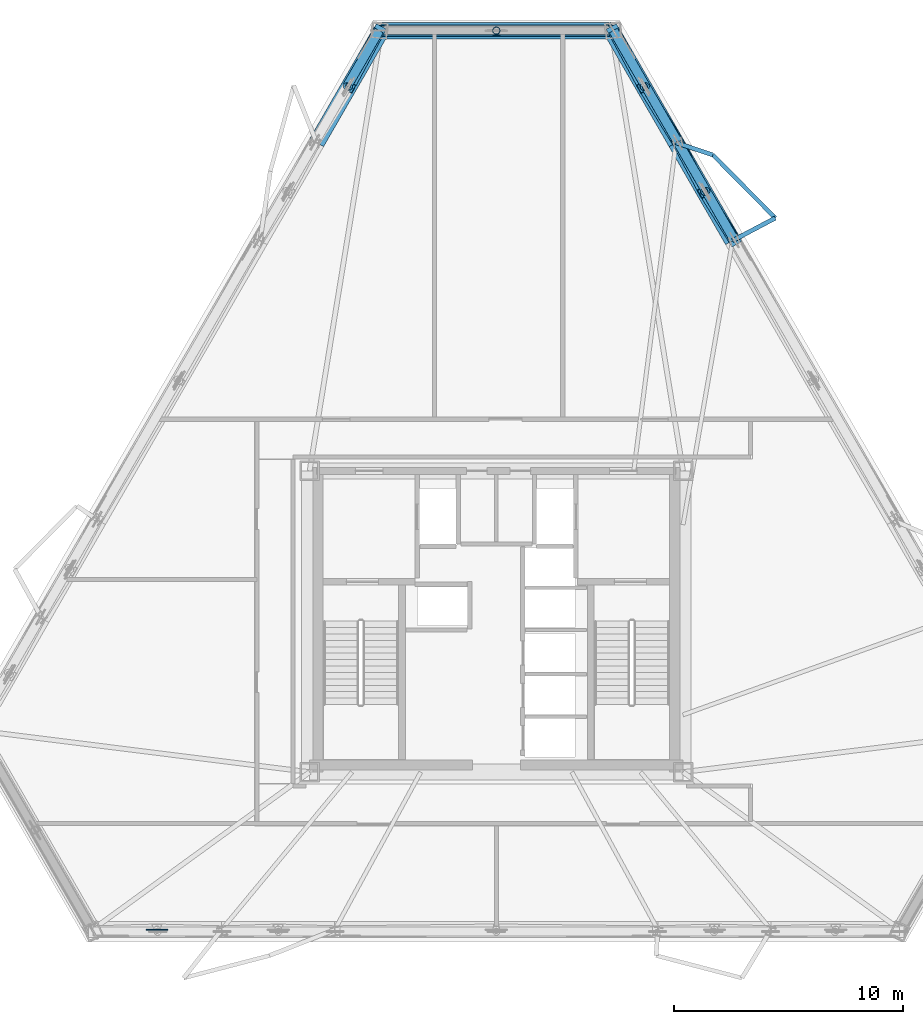
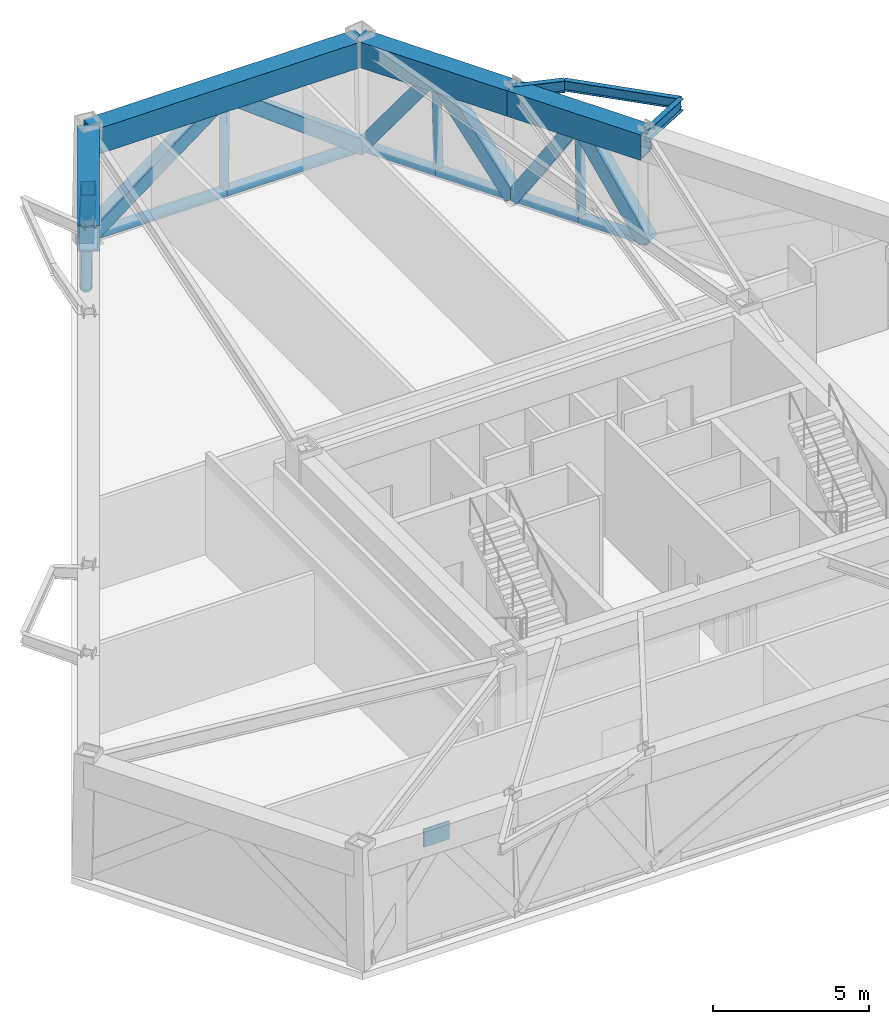
# One storey, part 5 of 11: 18 members, 7 beams, 1 plate.
"""IFC4 building model written with IfcOpenShell, lengths in metres."""

from ifc_helpers import new_model, si_unit, direction, frame, origin, origin_2d, place, context, subcontext, project, spatial, rectangle, hollow_rectangle, hollow_circle, i_section, extrude, material, layer, layer_set, material_profile, profile_set, type_object, element, save


model = new_model("IFC4")

# Units and contexts
model_context = context("Model", 3, precision=1e-05, world=origin(), true_north=direction((0.0, 1.0)))
body_context = subcontext(model_context, "Body", "Model", "MODEL_VIEW")
ifc_project = project(units=[si_unit("LENGTHUNIT", "METRE"), si_unit("AREAUNIT", "SQUARE_METRE"), si_unit("VOLUMEUNIT", "CUBIC_METRE"), si_unit("PLANEANGLEUNIT", "RADIAN"), si_unit("MASSUNIT", "GRAM", prefix="KILO")], contexts=[model_context])

# Site, building, storey
site_placement = place(None, origin())
site = spatial("IfcSite", under=ifc_project, at=site_placement, CompositionType="ELEMENT")
building_placement = place(site_placement, origin())
building = spatial("IfcBuilding", under=site, at=building_placement, Name="Oramaril Tower", CompositionType="ELEMENT")
storey_placement = place(building_placement, frame((0.0, 0.0, 133.800048828125)))
storey = spatial("IfcBuildingStorey", under=building, at=storey_placement, Name="L35", CompositionType="ELEMENT", Elevation=133.800048828125)

# Beams
ifc_material_1 = material(Name="Steel ASTM A572 Gr 50", Category="steel")
ifc_material_profile_1 = material_profile(ifc_material_1, i_section(OverallWidth=0.19091796875, OverallDepth=0.45703125, WebThickness=0.009033203125, FlangeThickness=0.014404296875, at=origin_2d()), Name="W18X50")
ifc_profile_set_1 = profile_set([ifc_material_profile_1], Name="Steel ASTM A572 Gr 50")
beam_type_1 = type_object("IfcBeamType", Name="BT-BB1", PredefinedType="BEAM", material=ifc_profile_set_1)
beam_1_placement = place(storey_placement, frame((47.81201171875, 34.197509765625, 4.33154296875), z_axis=(0.883720345372, 0.468015332201, 0.0), x_axis=(-0.468015332201, 0.883720345372, 0.0)))
element("IfcBeam", 1, at=beam_1_placement, inside=storey, type_object=beam_type_1, Name="L35 Balcony Column-Framed Cantilever 04.1", PredefinedType="BEAM", context=body_context, shape_type="SweptSolid", body=[
    extrude(i_section(OverallWidth=0.19091796875, OverallDepth=0.45703125, WebThickness=0.009033203125, FlangeThickness=0.014404296875, at=origin_2d()), origin(), (0.0, 0.0, 1.0), 2.109619140625),
])
beam_2_placement = place(storey_placement, frame((45.343505859375, 38.47314453125, 4.33154296875), z_axis=(0.94894166532, -0.315451606145, 0.0), x_axis=(0.315451606145, 0.94894166532, 0.0)))
element("IfcBeam", 2, at=beam_2_placement, inside=storey, type_object=beam_type_1, Name="L35 Balcony Column-Framed Cantilever 04.2", PredefinedType="BEAM", context=body_context, shape_type="SweptSolid", body=[
    extrude(i_section(OverallWidth=0.19091796875, OverallDepth=0.45703125, WebThickness=0.009033203125, FlangeThickness=0.014404296875, at=origin_2d()), origin(), (0.0, 0.0, 1.0), 1.69873046875),
])
ifc_material_2 = material(Name="Steel ASTM A572 Gr 50", Category="steel")
ifc_material_profile_2 = material_profile(ifc_material_2, hollow_rectangle(XDim=0.699951171875, YDim=1.0, WallThickness=0.06494140625, at=origin_2d()), Name="BOX1000X700X65")
ifc_profile_set_2 = profile_set([ifc_material_profile_2], Name="Steel ASTM A572 Gr 50")
beam_type_2 = type_object("IfcBeamType", Name="BT-BT1", PredefinedType="BEAM", material=ifc_profile_set_2)
beam_3_placement = place(storey_placement, frame((47.81201171875, 34.197509765625, 4.06005859375), z_axis=(-0.499994983316, 0.866028300149, 0.0), x_axis=(-0.866028300149, -0.499994983316, 0.0)))
element("IfcBeam", 3, at=beam_3_placement, inside=storey, type_object=beam_type_2, Name="L35 Perimeter Spandrel 11", PredefinedType="BEAM", context=body_context, shape_type="SweptSolid", body=[
    extrude(hollow_rectangle(XDim=0.699951171875, YDim=1.0, WallThickness=0.06494140625, at=origin_2d()), origin(), (0.0, 0.0, 1.0), 4.93701171875),
])
beam_4_placement = place(storey_placement, frame((45.343505859375, 38.47314453125, 4.06005859375), z_axis=(-0.499978398512, 0.86603787505, 0.0), x_axis=(-0.86603787505, -0.499978398512, 0.0)))
element("IfcBeam", 4, at=beam_4_placement, inside=storey, type_object=beam_type_2, Name="L35 Perimeter Spandrel 12", PredefinedType="BEAM", context=body_context, shape_type="SweptSolid", body=[
    extrude(hollow_rectangle(XDim=0.699951171875, YDim=1.0, WallThickness=0.06494140625, at=origin_2d()), origin(), (0.0, 0.0, 1.0), 5.642333984375),
])
beam_5_placement = place(storey_placement, frame((42.5224609375, 43.359619140625, 4.06005859375), z_axis=(-1.0, 0.0, 0.0), x_axis=(0.0, -1.0, 0.0)))
element("IfcBeam", 5, at=beam_5_placement, inside=storey, type_object=beam_type_2, Name="L35 Perimeter Spandrel 13", PredefinedType="BEAM", context=body_context, shape_type="SweptSolid", body=[
    extrude(hollow_rectangle(XDim=0.699951171875, YDim=1.0, WallThickness=0.06494140625, at=origin_2d()), origin(), (0.0, 0.0, 1.0), 10.044921875),
])
beam_6_placement = place(storey_placement, frame((32.4775390625, 43.359619140625, 4.06005859375), z_axis=(-0.499978398512, -0.86603787505, 0.0), x_axis=(0.86603787505, -0.499978398512, 0.0)))
element("IfcBeam", 6, at=beam_6_placement, inside=storey, type_object=beam_type_2, Name="L35 Perimeter Spandrel 14", PredefinedType="BEAM", context=body_context, shape_type="SweptSolid", body=[
    extrude(hollow_rectangle(XDim=0.699951171875, YDim=1.0, WallThickness=0.06494140625, at=origin_2d()), origin(), (0.0, 0.0, 1.0), 5.642333984375),
])
ifc_material_3 = material(Name="Steel ASTM A572 Gr 50", Category="steel")
ifc_material_profile_3 = material_profile(ifc_material_3, i_section(OverallWidth=0.177978515625, OverallDepth=0.404052734375, WebThickness=0.007568359375, FlangeThickness=0.010986328125, at=origin_2d()), Name="W16X36")
ifc_profile_set_3 = profile_set([ifc_material_profile_3], Name="Steel ASTM A572 Gr 50")
beam_type_3 = type_object("IfcBeamType", Name="BT-SB1", PredefinedType="BEAM", material=ifc_profile_set_3)
beam_7_placement = place(storey_placement, frame((49.67626953125, 35.184814453125, 4.35791015625), z_axis=(-0.702994511648, 0.71119527318, 0.0), x_axis=(-0.71119527318, -0.702994511648, 0.0)))
element("IfcBeam", 7, at=beam_7_placement, inside=storey, type_object=beam_type_3, Name="L35 Balcony Edge Tie Beam 04", PredefinedType="BEAM", context=body_context, shape_type="SweptSolid", body=[
    extrude(i_section(OverallWidth=0.177978515625, OverallDepth=0.404052734375, WebThickness=0.007568359375, FlangeThickness=0.010986328125, at=origin_2d()), origin(), (0.0, 0.0, 1.0), 3.8701171875),
])

# Members
ifc_material_4 = material(Name="Steel ASTM A572 Gr 50", Category="steel")
ifc_material_profile_4 = material_profile(ifc_material_4, hollow_circle(Radius=0.202880859375, WallThickness=0.01611328125, at=origin_2d()), Name="CHS406X16")
ifc_profile_set_4 = profile_set([ifc_material_profile_4], Name="Steel ASTM A572 Gr 50")
member_type_1 = type_object("IfcMemberType", Name="MT-CH1", PredefinedType="CHORD", material=ifc_profile_set_4)
member_1_placement = place(storey_placement, frame((47.888427734375, 34.225341796875, 0.2099609375), z_axis=(-0.500039835994, 0.866002403241, 0.0), x_axis=(-0.866002403241, -0.500039835994, 0.0)))
element("IfcMember", 8, at=member_1_placement, inside=storey, type_object=member_type_1, Name="L35 Belt Truss Chord 11A", PredefinedType="CHORD", context=body_context, shape_type="SweptSolid", body=[
    extrude(hollow_circle(Radius=0.202880859375, WallThickness=0.01611328125, at=origin_2d()), origin(), (0.0, 0.0, 1.0), 2.463623046875),
])
member_2_placement = place(storey_placement, frame((46.656494140625, 36.35888671875, 0.2099609375), z_axis=(-0.500008425378, 0.866020539336, 0.0), x_axis=(-0.866020539336, -0.500008425378, 0.0)))
element("IfcMember", 9, at=member_2_placement, inside=storey, type_object=member_type_1, Name="L35 Belt Truss Chord 11B", PredefinedType="CHORD", context=body_context, shape_type="SweptSolid", body=[
    extrude(hollow_circle(Radius=0.202880859375, WallThickness=0.01611328125, at=origin_2d()), origin(), (0.0, 0.0, 1.0), 2.46337890625),
])
member_3_placement = place(storey_placement, frame((45.4248046875, 38.4921875, 0.2099609375), z_axis=(-0.500000186108, 0.866025296335, 0.0), x_axis=(-0.866025296335, -0.500000186108, 0.0)))
element("IfcMember", 10, at=member_3_placement, inside=storey, type_object=member_type_1, Name="L35 Belt Truss Chord 12A", PredefinedType="CHORD", context=body_context, shape_type="SweptSolid", body=[
    extrude(hollow_circle(Radius=0.202880859375, WallThickness=0.01611328125, at=origin_2d()), origin(), (0.0, 0.0, 1.0), 2.8154296875),
])
member_4_placement = place(storey_placement, frame((44.01708984375, 40.930419921875, 0.2099609375), z_axis=(-0.49996263964, 0.866046972724, 0.0), x_axis=(-0.866046972724, -0.49996263964, 0.0)))
element("IfcMember", 11, at=member_4_placement, inside=storey, type_object=member_type_1, Name="L35 Belt Truss Chord 12B", PredefinedType="CHORD", context=body_context, shape_type="SweptSolid", body=[
    extrude(hollow_circle(Radius=0.202880859375, WallThickness=0.01611328125, at=origin_2d()), origin(), (0.0, 0.0, 1.0), 2.815673828125),
])
for number, where, z_axis, x_axis, name in (
    (12, (42.609375, 43.368896484375, 0.2099609375), (-1.0, 0.0, 0.0), (0.0, -1.0, 0.0), "L35 Belt Truss Chord 13A"),
    (13, (37.5, 43.368896484375, 0.2099609375), (-1.0, 0.0, 0.0), (0.0, -1.0, 0.0), "L35 Belt Truss Chord 13B"),
):
    element("IfcMember", number, at=place(storey_placement, frame(where, z_axis=z_axis, x_axis=x_axis)), inside=storey, type_object=member_type_1, Name=name, PredefinedType="CHORD", context=body_context, shape_type="SweptSolid", body=[
        extrude(hollow_circle(Radius=0.202880859375, WallThickness=0.01611328125, at=origin_2d()), origin(), (0.0, 0.0, 1.0), 5.109375),
    ])
member_5_placement = place(storey_placement, frame((32.390625, 43.368896484375, 0.2099609375), z_axis=(-0.49996263964, -0.866046972724, 0.0), x_axis=(0.866046972724, -0.49996263964, 0.0)))
element("IfcMember", 14, at=member_5_placement, inside=storey, type_object=member_type_1, Name="L35 Belt Truss Chord 14A", PredefinedType="CHORD", context=body_context, shape_type="SweptSolid", body=[
    extrude(hollow_circle(Radius=0.202880859375, WallThickness=0.01611328125, at=origin_2d()), origin(), (0.0, 0.0, 1.0), 2.815673828125),
])
ifc_material_5 = material(Name="Steel ASTM A572 Gr 50", Category="steel")
ifc_material_profile_5 = material_profile(ifc_material_5, hollow_circle(Radius=0.162109375, WallThickness=0.011962890625, at=origin_2d()), Name="CHS324X12")
ifc_profile_set_5 = profile_set([ifc_material_profile_5], Name="Steel ASTM A572 Gr 50")
member_type_2 = type_object("IfcMemberType", Name="MT-ST1", PredefinedType="STRUT", material=ifc_profile_set_5)
for number, where, z_axis, x_axis, name in (
    (15, (46.656494140625, 36.35888671875, 0.2099609375), (-0.020477253624, -0.006086118724, 0.999771794583), (0.284896573356, -0.958558262439, 0.0), "L35 Belt Truss Strut 11"),
    (16, (44.01708984375, 40.930419921875, 0.2099609375), (-0.021871600448, -0.003676964713, 0.999754026261), (0.165789415493, -0.986161178363, 0.0), "L35 Belt Truss Strut 12"),
):
    element("IfcMember", number, at=place(storey_placement, frame(where, z_axis=z_axis, x_axis=x_axis)), inside=storey, type_object=member_type_2, Name=name, PredefinedType="STRUT", context=body_context, shape_type="SweptSolid", body=[
        extrude(hollow_circle(Radius=0.162109375, WallThickness=0.011962890625, at=origin_2d()), origin(), (0.0, 0.0, 1.0), 3.85107421875),
    ])
member_6_placement = place(storey_placement, frame((37.5, 43.368896484375, 0.2099609375), z_axis=(0.0, -0.002409631559, 0.999997096834), x_axis=(1.0, 0.0, 0.0)))
element("IfcMember", 17, at=member_6_placement, inside=storey, type_object=member_type_2, Name="L35 Belt Truss Strut 13", PredefinedType="STRUT", context=body_context, shape_type="SweptSolid", body=[
    extrude(hollow_circle(Radius=0.162109375, WallThickness=0.011962890625, at=origin_2d()), origin(), (0.0, 0.0, 1.0), 3.85009765625),
])
member_7_placement = place(storey_placement, frame((30.98291015625, 40.930419921875, 0.2099609375), z_axis=(0.021871600448, -0.003676964713, 0.999754026261), x_axis=(0.165789415493, 0.986161178363, 0.0)))
element("IfcMember", 18, at=member_7_placement, inside=storey, type_object=member_type_2, Name="L35 Belt Truss Strut 14", PredefinedType="STRUT", context=body_context, shape_type="SweptSolid", body=[
    extrude(hollow_circle(Radius=0.162109375, WallThickness=0.011962890625, at=origin_2d()), origin(), (0.0, 0.0, 1.0), 3.85107421875),
])
ifc_material_6 = material(Name="Steel ASTM A572 Gr 50", Category="steel")
ifc_material_profile_6 = material_profile(ifc_material_6, hollow_rectangle(XDim=0.5, YDim=0.5, WallThickness=0.02490234375, at=origin_2d()), Name="HSS500X500X25")
ifc_profile_set_6 = profile_set([ifc_material_profile_6], Name="Steel ASTM A572 Gr 50")
member_type_3 = type_object("IfcMemberType", Name="MT-TD1", PredefinedType="BRACE", material=ifc_profile_set_6)
member_8_placement = place(storey_placement, frame((47.888427734375, 34.225341796875, 0.2099609375), z_axis=(-0.286079068604, 0.460529221446, 0.840280669004), x_axis=(-0.849447258249, -0.527673531128, 0.0)))
element("IfcMember", 19, at=member_8_placement, inside=storey, type_object=member_type_3, Name="L35 Truss Diagonal 11A", PredefinedType="BRACE", context=body_context, shape_type="SweptSolid", body=[
    extrude(hollow_rectangle(XDim=0.5, YDim=0.5, WallThickness=0.02490234375, at=origin_2d()), origin(), (0.0, 0.0, 1.0), 4.58203125),
])
member_9_placement = place(storey_placement, frame((45.4248046875, 38.4921875, 0.2099609375), z_axis=(0.252752096067, -0.472853031905, 0.844112781654), x_axis=(0.881915925886, 0.471406724251, 0.0)))
element("IfcMember", 20, at=member_9_placement, inside=storey, type_object=member_type_3, Name="L35 Truss Diagonal 11B", PredefinedType="BRACE", context=body_context, shape_type="SweptSolid", body=[
    extrude(hollow_rectangle(XDim=0.5, YDim=0.5, WallThickness=0.02490234375, at=origin_2d()), origin(), (0.0, 0.0, 1.0), 4.56103515625),
])
member_10_placement = place(storey_placement, frame((45.4248046875, 38.4921875, 0.2099609375), z_axis=(-0.311598296612, 0.506277121104, 0.804108188116), x_axis=(-0.851625920665, -0.524150065584, 0.0)))
element("IfcMember", 21, at=member_10_placement, inside=storey, type_object=member_type_3, Name="L35 Truss Diagonal 12A", PredefinedType="BRACE", context=body_context, shape_type="SweptSolid", body=[
    extrude(hollow_rectangle(XDim=0.5, YDim=0.5, WallThickness=0.02490234375, at=origin_2d()), origin(), (0.0, 0.0, 1.0), 4.7880859375),
])
member_11_placement = place(storey_placement, frame((42.609375, 43.368896484375, 0.2099609375), z_axis=(0.278457236764, -0.516026821718, 0.810048076697), x_axis=(0.880045999206, 0.474888449303, 0.0)))
element("IfcMember", 22, at=member_11_placement, inside=storey, type_object=member_type_3, Name="L35 Truss Diagonal 12B", PredefinedType="BRACE", context=body_context, shape_type="SweptSolid", body=[
    extrude(hollow_rectangle(XDim=0.5, YDim=0.5, WallThickness=0.02490234375, at=origin_2d()), origin(), (0.0, 0.0, 1.0), 4.7529296875),
])
for number, where, z_axis, x_axis, name in (
    (23, (42.609375, 43.368896484375, 0.2099609375), (-0.798641624663, -0.001450132919, 0.601805161551), (0.001815746242, -0.999998351531, 0.0), "L35 Truss Diagonal 13A"),
    (24, (32.390625, 43.368896484375, 0.2099609375), (0.798641624663, -0.001450132919, 0.601805161551), (0.001815746242, 0.999998351531, 0.0), "L35 Truss Diagonal 13B"),
):
    element("IfcMember", number, at=place(storey_placement, frame(where, z_axis=z_axis, x_axis=x_axis)), inside=storey, type_object=member_type_3, Name=name, PredefinedType="BRACE", context=body_context, shape_type="SweptSolid", body=[
        extrude(hollow_rectangle(XDim=0.5, YDim=0.5, WallThickness=0.02490234375, at=origin_2d()), origin(), (0.0, 0.0, 1.0), 6.3974609375),
    ])
member_12_placement = place(storey_placement, frame((32.390625, 43.368896484375, 0.2099609375), z_axis=(-0.278457236764, -0.516026821718, 0.810048076697), x_axis=(0.880045999206, -0.474888449303, 0.0)))
element("IfcMember", 25, at=member_12_placement, inside=storey, type_object=member_type_3, Name="L35 Truss Diagonal 14A", PredefinedType="BRACE", context=body_context, shape_type="SweptSolid", body=[
    extrude(hollow_rectangle(XDim=0.5, YDim=0.5, WallThickness=0.02490234375, at=origin_2d()), origin(), (0.0, 0.0, 1.0), 4.7529296875),
])

# Plate
ifc_material_7 = material(Name="Steel ASTM A572 Gr 50", Category="steel")
ifc_layer = layer(ifc_material_7, 0.06005859375)
ifc_layer_set = layer_set([ifc_layer], Name="PLT-G60")
plate_type = type_object("IfcPlateType", Name="PLT-G60", PredefinedType="USERDEFINED", material=ifc_layer_set)
plate_placement = place(storey_placement, frame((22.689208984375, 4.120849609375, 3.7099609375), z_axis=(0.0, 0.0, 1.0), x_axis=(1.0, 0.0, 0.0)))
element("IfcPlate", 26, at=plate_placement, inside=storey, type_object=plate_type, Name="L35 Truss Top Gusset Node KN-35A", ObjectType="GUSSET", PredefinedType="USERDEFINED", context=body_context, shape_type="SweptSolid", body=[
    extrude(rectangle(XDim=0.949951171875, YDim=0.06005859375, at=origin_2d()), origin(), (0.0, 0.0, 1.0), 0.699951171875),
])

save(model, "model.ifc")
